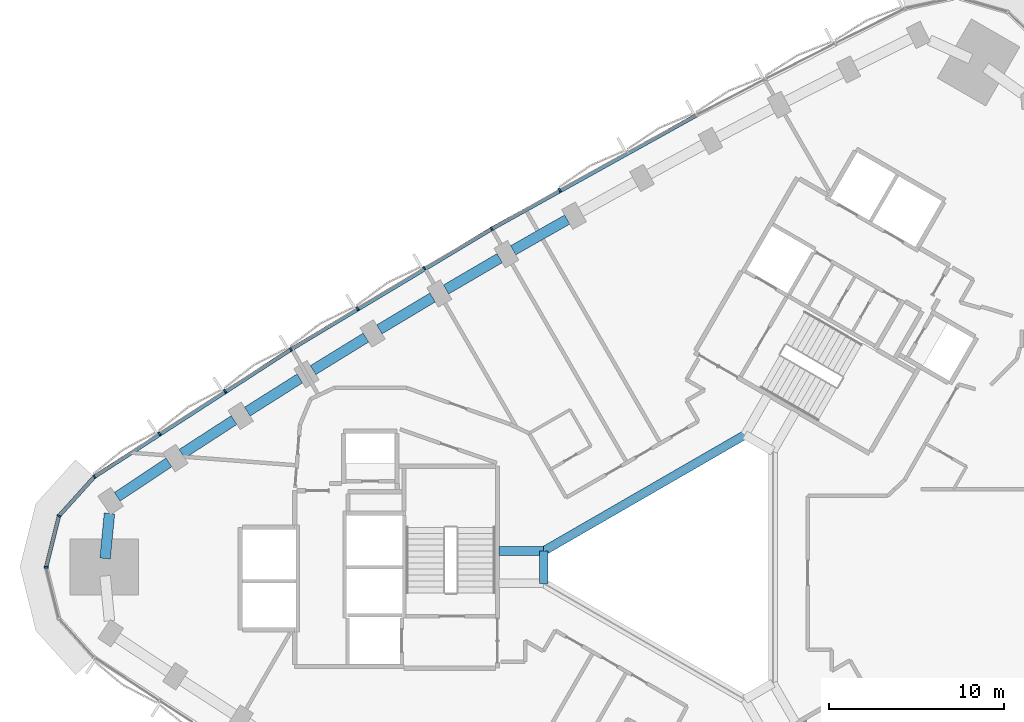
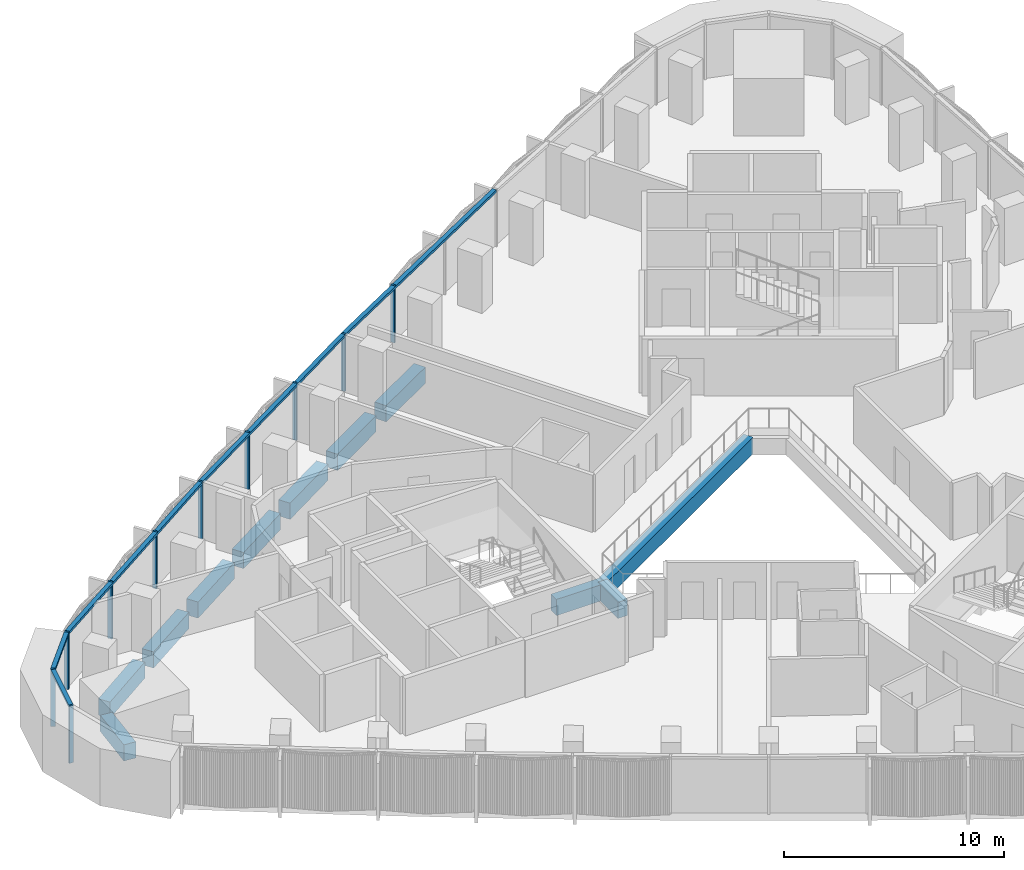
# One storey, part 4 of 15: 15 members, 11 beams, 1 element without a shape of its own.
"""IFC4 building model written with IfcOpenShell, lengths in metres."""

import ifcopenshell
import ifcopenshell.guid

model = None  # the IFC model being written
_history = None  # IfcOwnerHistory: only IFC2X3 demands one
_inside = {}  # id of a spatial element -> (the spatial element, [elements in it])
_under = {}  # id of a project, library or spatial element -> (it, [spatial elements below it])
_declared = {}  # id of a project -> (the project, [libraries it declares])
_typed = {}  # id of a type object -> (the type object, [elements of that type])
_made_of = {}  # id of a material, layer set ... -> (it, [elements and type objects made of it])


def new_model(schema):
    """Start an empty IFC model of exactly this schema.

    Asked for "IFC4X3", IfcOpenShell would pick the latest addendum, in which some entities
    have other attributes; the version numbers below select the first issue.
    IFC2X3 requires an IfcOwnerHistory on every rooted entity: one is made here for all.
    """
    global model, _history
    if schema == "IFC4X3":
        model = ifcopenshell.file(schema_version=(4, 3, 0, 0))
    else:
        model = ifcopenshell.file(schema=schema)
    _inside.clear()
    _under.clear()
    _declared.clear()
    _typed.clear()
    _made_of.clear()
    _history = None
    if model.schema == "IFC2X3":
        org = make("IfcOrganization", Name="unknown")
        user = make(
            "IfcPersonAndOrganization",
            ThePerson=make("IfcPerson", FamilyName="unknown"),
            TheOrganization=org,
        )
        app = make(
            "IfcApplication",
            ApplicationDeveloper=org,
            Version="unknown",
            ApplicationFullName="unknown",
            ApplicationIdentifier="unknown",
        )
        _history = make(
            "IfcOwnerHistory",
            OwningUser=user,
            OwningApplication=app,
            ChangeAction="ADDED",
            CreationDate=0,
        )
    return model


def make(cls, **values):
    """One entity of the class cls with the attributes given. An attribute that is None is left unset."""
    return model.create_entity(
        cls, **{name: value for name, value in values.items() if value is not None}
    )


def rooted(cls, **values):
    """An entity with a GlobalId (a new one), such as an element, a storey or a relation."""
    return make(cls, GlobalId=ifcopenshell.guid.new(), OwnerHistory=_history, **values)


def si_unit(unit_type, name, prefix=None):
    """IfcSIUnit, for example si_unit("LENGTHUNIT", "METRE", prefix="MILLI")."""
    return make("IfcSIUnit", UnitType=unit_type, Prefix=prefix, Name=name)


def assignment(units):
    """IfcUnitAssignment: the units of a project."""
    return None if units is None else make("IfcUnitAssignment", Units=units)


def point(xyz):
    """IfcCartesianPoint."""
    return None if xyz is None else make("IfcCartesianPoint", Coordinates=xyz)


def direction(xyz):
    """IfcDirection."""
    return None if xyz is None else make("IfcDirection", DirectionRatios=xyz)


def frame(location, z_axis=None, x_axis=None):
    """IfcAxis2Placement3D, a coordinate frame: its origin and axes. An axis left out is left unset."""
    return make(
        "IfcAxis2Placement3D",
        Location=point(location),
        Axis=direction(z_axis),
        RefDirection=direction(x_axis),
    )


def frame_2d(location, x_axis=None):
    """IfcAxis2Placement2D, a coordinate frame in the plane: its origin and x axis."""
    return make(
        "IfcAxis2Placement2D", Location=point(location), RefDirection=direction(x_axis)
    )


def origin():
    """The frame at (0, 0, 0) with its axes left unset."""
    return frame((0.0, 0.0, 0.0))


def origin_2d():
    """The frame at (0, 0) in the plane with its x axis left unset."""
    return frame_2d((0.0, 0.0))


def place(relative_to, where):
    """IfcLocalPlacement: puts the frame where relative to a parent placement (None: the world)."""
    return make(
        "IfcLocalPlacement", PlacementRelTo=relative_to, RelativePlacement=where
    )


def context(
    kind, dimensions, precision=None, world=None, true_north=None, identifier=None
):
    """IfcGeometricRepresentationContext, for example the 3D "Model" context."""
    return make(
        "IfcGeometricRepresentationContext",
        ContextIdentifier=identifier,
        ContextType=kind,
        CoordinateSpaceDimension=dimensions,
        Precision=precision,
        WorldCoordinateSystem=world,
        TrueNorth=true_north,
    )


def subcontext(parent, identifier, kind, view, scale=None):
    """IfcGeometricRepresentationSubContext, for example "Body" below "Model"."""
    return make(
        "IfcGeometricRepresentationSubContext",
        ContextIdentifier=identifier,
        ContextType=kind,
        ParentContext=parent,
        TargetScale=scale,
        TargetView=view,
    )


def project(units=None, contexts=None):
    """IfcProject with its units and contexts."""
    return rooted(
        "IfcProject",
        Name="project",
        RepresentationContexts=contexts,
        UnitsInContext=assignment(units),
    )


def spatial(cls, under=None, at=None, **own):
    """A site, building, storey or space (cls), placed at a placement, below another one or the project."""
    s = rooted(cls, ObjectPlacement=at, **own)
    if under is not None:
        _under.setdefault(under.id(), (under, []))[1].append(s)
    return s


def profile(cls, at=None, kind="AREA", **sizes):
    """A parametric profile (cls). Its sizes go by their IFC names, for example OverallWidth=200.0."""
    return make(cls, ProfileType=kind, Position=at, **sizes)


def rectangle(**sizes):
    """IfcRectangleProfileDef."""
    return profile("IfcRectangleProfileDef", **sizes)


def extrude(swept, where, along, depth):
    """IfcExtrudedAreaSolid: the profile swept, set in the frame where, extruded along a direction by depth."""
    return make(
        "IfcExtrudedAreaSolid",
        SweptArea=swept,
        Position=where,
        ExtrudedDirection=direction(along),
        Depth=depth,
    )


def shape(context_of_items, identifier, shape_type, items):
    """IfcShapeRepresentation: the items that make up one representation, for example the "Body"."""
    return make(
        "IfcShapeRepresentation",
        ContextOfItems=context_of_items,
        RepresentationIdentifier=identifier,
        RepresentationType=shape_type,
        Items=items,
    )


def material(Name=None, Category=None):
    """IfcMaterial."""
    return make("IfcMaterial", Name=Name, Category=Category)


def material_profile(
    of_material, cross_section, Name=None, Category=None, Priority=None
):
    """IfcMaterialProfile: a cross section and its material."""
    return make(
        "IfcMaterialProfile",
        Name=Name,
        Material=of_material,
        Profile=cross_section,
        Priority=Priority,
        Category=Category,
    )


def profile_set(profiles, Name=None, composite=None):
    """IfcMaterialProfileSet."""
    return make(
        "IfcMaterialProfileSet",
        Name=Name,
        MaterialProfiles=profiles,
        CompositeProfile=composite,
    )


def made_of(thing, what):
    """Note that an element or type object is made of a material, layer set ...; save() writes the relation."""
    if what is not None:
        _made_of.setdefault(what.id(), (what, []))[1].append(thing)
    return thing


def type_object(cls, material=None, **own):
    """A type object (cls), such as IfcWallType, which elements share."""
    return made_of(rooted(cls, **own), material)


def element(
    cls,
    number,
    at=None,
    inside=None,
    cuts=None,
    type_object=None,
    material=None,
    context=None,
    identifier="Body",
    shape_type=None,
    held_by="IfcProductDefinitionShape",
    body=None,
    shapes=None,
    **own,
):
    """One element of the class cls, such as IfcWall. Its Tag is "e" and its number.

    at: its placement. inside: the storey or other place that contains it. cuts: it is an
    opening in that element (IfcRelVoidsElement). A single representation is given by context,
    identifier, shape_type and body (its items); several are given by shapes. held_by: the class
    of the entity that holds the representations. save() writes the other relations.
    """
    e = rooted(cls, Tag="e%d" % number, ObjectPlacement=at, **own)
    if body is not None:
        shapes = [shape(context, identifier, shape_type, body)]
    if shapes is not None:
        e.Representation = make(held_by, Representations=shapes)
    if inside is not None:
        _inside.setdefault(inside.id(), (inside, []))[1].append(e)
    if cuts is not None:
        rooted(
            "IfcRelVoidsElement", RelatingBuildingElement=cuts, RelatedOpeningElement=e
        )
    if type_object is not None:
        _typed.setdefault(type_object.id(), (type_object, []))[1].append(e)
    return made_of(e, material)


def aggregate(whole, parts):
    """IfcRelAggregates: a whole, such as a stair, and the parts it consists of."""
    return rooted("IfcRelAggregates", RelatingObject=whole, RelatedObjects=parts)


def save(model, path):
    """Write the relations noted so far, then the file.

    IfcRelAggregates (storeys below a building ...), IfcRelContainedInSpatialStructure (elements
    in a storey), IfcRelDefinesByType, IfcRelAssociatesMaterial and IfcRelDeclares: one each for
    every whole, place, type object, material and project.
    """
    for whole, parts in _under.values():
        aggregate(whole, parts)
    for where, things in _inside.values():
        rooted(
            "IfcRelContainedInSpatialStructure",
            RelatedElements=things,
            RelatingStructure=where,
        )
    for kind, things in _typed.values():
        rooted("IfcRelDefinesByType", RelatedObjects=things, RelatingType=kind)
    for what, things in _made_of.values():
        rooted("IfcRelAssociatesMaterial", RelatedObjects=things, RelatingMaterial=what)
    for by, libraries in _declared.values():
        rooted("IfcRelDeclares", RelatingContext=by, RelatedDefinitions=libraries)
    model.write(path)


model = new_model("IFC4")

# Units and contexts
model_context = context("Model", 3, precision=1e-05, world=origin(), true_north=direction((0.0, 1.0)))
body_context = subcontext(model_context, "Body", "Model", "MODEL_VIEW")
ifc_project = project(units=[si_unit("LENGTHUNIT", "METRE"), si_unit("AREAUNIT", "SQUARE_METRE"), si_unit("VOLUMEUNIT", "CUBIC_METRE"), si_unit("PLANEANGLEUNIT", "RADIAN"), si_unit("MASSUNIT", "GRAM", prefix="KILO")], contexts=[model_context])

# Site, building, storey
site_placement = place(None, origin())
site = spatial("IfcSite", under=ifc_project, at=site_placement, CompositionType="ELEMENT")
building_placement = place(site_placement, origin())
building = spatial("IfcBuilding", under=site, at=building_placement, Name="Tamra Quay Hotel Tower", CompositionType="ELEMENT")
storey_placement = place(building_placement, frame((0.0, 0.0, 86.60009765625)))
storey = spatial("IfcBuildingStorey", under=building, at=storey_placement, Name="L20", CompositionType="ELEMENT", Elevation=86.60009765625)

# Beams
ifc_material_1 = material(Name="Concrete M60", Category="concrete")
ifc_material_profile_1 = material_profile(ifc_material_1, rectangle(XDim=0.5, YDim=0.89990234375, at=origin_2d()), Name="ATRIUM EDGE BEAM RC 500x900")
ifc_profile_set_1 = profile_set([ifc_material_profile_1], Name="Concrete M60")
beam_type_1 = type_object("IfcBeamType", Name="ATRIUM EDGE BEAM RC 500x900", PredefinedType="BEAM", material=ifc_profile_set_1)
beam_1_placement = place(storey_placement, frame((-8.199951171875, -0.923828125, -0.875), z_axis=(0.0, 1.0, 0.0), x_axis=(-1.0, 0.0, 0.0)))
element("IfcBeam", 1, at=beam_1_placement, inside=storey, type_object=beam_type_1, Name="BM-AB3-L20", PredefinedType="BEAM", context=body_context, shape_type="SweptSolid", body=[
    extrude(rectangle(XDim=0.5, YDim=0.89990234375, at=origin_2d()), origin(), (0.0, 0.0, 1.0), 1.84765625),
])
beam_2_placement = place(storey_placement, frame((-8.199951171875, 0.923828125, -0.875), z_axis=(0.866029440693, 0.499993007805, 0.0), x_axis=(-0.499993007805, 0.866029440693, 0.0)))
element("IfcBeam", 2, at=beam_2_placement, inside=storey, type_object=beam_type_1, Name="BM-AB4-L20", PredefinedType="BEAM", context=body_context, shape_type="SweptSolid", body=[
    extrude(rectangle(XDim=0.5, YDim=0.89990234375, at=origin_2d()), origin(), (0.0, 0.0, 1.0), 13.279052734375),
])
ifc_material_profile_2 = material_profile(ifc_material_1, rectangle(XDim=0.5, YDim=0.89990234375, at=origin_2d()), Name="ATRIUM TIE BEAM RC 500x900")
ifc_profile_set_2 = profile_set([ifc_material_profile_2], Name="Concrete M60")
beam_type_2 = type_object("IfcBeamType", Name="ATRIUM TIE BEAM RC 500x900", PredefinedType="BEAM", material=ifc_profile_set_2)
beam_3_placement = place(storey_placement, frame((-8.199951171875, 0.923828125, -0.875), z_axis=(-1.0, 0.0, 0.0), x_axis=(0.0, -1.0, 0.0)))
element("IfcBeam", 3, at=beam_3_placement, inside=storey, type_object=beam_type_2, Name="BM-TIE-4-L20", PredefinedType="BEAM", context=body_context, shape_type="SweptSolid", body=[
    extrude(rectangle(XDim=0.5, YDim=0.89990234375, at=origin_2d()), origin(), (0.0, 0.0, 1.0), 2.562255859375),
])

# Curtain wall, members
ifc_material_2 = material(Name="Aluminium 6063 anodised dark grey", Category="aluminium")
curtain_wall_type = type_object("IfcCurtainWallType", Name="CW2 CURTAIN WALL", PredefinedType="NOTDEFINED", material=ifc_material_2)
curtain_wall_placement = place(storey_placement, origin())
curtain_wall = element("IfcCurtainWall", 4, at=curtain_wall_placement, inside=storey, type_object=curtain_wall_type, Name="CW2 north-west face L20", PredefinedType="NOTDEFINED")
ifc_material_profile_3 = material_profile(ifc_material_2, rectangle(XDim=0.219970703125, YDim=0.10009765625, at=origin_2d()), Name="MULLION 100X220")
ifc_profile_set_3 = profile_set([ifc_material_profile_3], Name="Aluminium 6063 anodised dark grey")
member_type_1 = type_object("IfcMemberType", Name="MULLION CW2 Z2", PredefinedType="MULLION", material=ifc_profile_set_3)
member_1_placement = place(storey_placement, frame((-7.287841796875, 21.55078125, 0.0), z_axis=(0.0, 0.0, 1.0), x_axis=(-0.490074355228, 0.87168063323, 0.0)))
member_1 = element("IfcMember", 5, at=member_1_placement, type_object=member_type_1, Name="CW2 mullion L20.NW.6", PredefinedType="MULLION", context=body_context, shape_type="SweptSolid", body=[
    extrude(rectangle(XDim=0.219970703125, YDim=0.10009765625, at=origin_2d()), origin(), (0.0, 0.0, 1.0), 3.1748046875),
])
member_2_placement = place(storey_placement, frame((-11.16650390625, 19.3408203125, 0.0), z_axis=(0.0, 0.0, 1.0), x_axis=(-0.5, 0.866025403784, 0.0)))
member_2 = element("IfcMember", 6, at=member_2_placement, type_object=member_type_1, Name="CW2 mullion L20.NW.7", PredefinedType="MULLION", context=body_context, shape_type="SweptSolid", body=[
    extrude(rectangle(XDim=0.219970703125, YDim=0.10009765625, at=origin_2d()), origin(), (0.0, 0.0, 1.0), 3.1748046875),
])
member_3_placement = place(storey_placement, frame((-15.01953125, 17.0869140625, 0.0), z_axis=(0.0, 0.0, 1.0), x_axis=(-0.50986039475, 0.860257157985, 0.0)))
member_3 = element("IfcMember", 7, at=member_3_placement, type_object=member_type_1, Name="CW2 mullion L20.NW.8", PredefinedType="MULLION", context=body_context, shape_type="SweptSolid", body=[
    extrude(rectangle(XDim=0.219970703125, YDim=0.10009765625, at=origin_2d()), origin(), (0.0, 0.0, 1.0), 3.1748046875),
])
member_4_placement = place(storey_placement, frame((-18.8466796875, 14.7890625, 0.0), z_axis=(0.0, 0.0, 1.0), x_axis=(-0.519649964402, 0.854379256827, 0.0)))
member_4 = element("IfcMember", 8, at=member_4_placement, type_object=member_type_1, Name="CW2 mullion L20.NW.9", PredefinedType="MULLION", context=body_context, shape_type="SweptSolid", body=[
    extrude(rectangle(XDim=0.219970703125, YDim=0.10009765625, at=origin_2d()), origin(), (0.0, 0.0, 1.0), 3.1748046875),
])
member_5_placement = place(storey_placement, frame((-22.647216796875, 12.447509765625, 0.0), z_axis=(0.0, 0.0, 1.0), x_axis=(-0.529364244047, 0.848394658826, 0.0)))
member_5 = element("IfcMember", 9, at=member_5_placement, type_object=member_type_1, Name="CW2 mullion L20.NW.10", PredefinedType="MULLION", context=body_context, shape_type="SweptSolid", body=[
    extrude(rectangle(XDim=0.219970703125, YDim=0.10009765625, at=origin_2d()), origin(), (0.0, 0.0, 1.0), 3.1748046875),
])
member_6_placement = place(storey_placement, frame((-26.4208984375, 10.06298828125, 0.0), z_axis=(0.0, 0.0, 1.0), x_axis=(-0.538998382955, 0.842306798721, 0.0)))
member_6 = element("IfcMember", 10, at=member_6_placement, type_object=member_type_1, Name="CW2 mullion L20.NW.11", PredefinedType="MULLION", context=body_context, shape_type="SweptSolid", body=[
    extrude(rectangle(XDim=0.219970703125, YDim=0.10009765625, at=origin_2d()), origin(), (0.0, 0.0, 1.0), 3.1748046875),
])
member_7_placement = place(storey_placement, frame((-30.167236328125, 7.635498046875, 0.0), z_axis=(0.0, 0.0, 1.0), x_axis=(-0.548547395815, 0.836119461886, 0.0)))
member_7 = element("IfcMember", 11, at=member_7_placement, type_object=member_type_1, Name="CW2 mullion L20.NW.12", PredefinedType="MULLION", context=body_context, shape_type="SweptSolid", body=[
    extrude(rectangle(XDim=0.219970703125, YDim=0.10009765625, at=origin_2d()), origin(), (0.0, 0.0, 1.0), 3.1748046875),
])
member_8_placement = place(storey_placement, frame((-33.88525390625, 5.166015625, 0.0), z_axis=(0.0, 0.0, 1.0), x_axis=(-0.652886907072, 0.757455402366, 0.0)))
member_8 = element("IfcMember", 12, at=member_8_placement, type_object=member_type_1, Name="CW2 mullion L20.NW.13", PredefinedType="MULLION", context=body_context, shape_type="SweptSolid", body=[
    extrude(rectangle(XDim=0.219970703125, YDim=0.10009765625, at=origin_2d()), origin(), (0.0, 0.0, 1.0), 3.1748046875),
])
member_9_placement = place(storey_placement, frame((-35.90673828125, 2.9267578125, 0.0), z_axis=(0.0, 0.0, 1.0), x_axis=(-0.882543846683, 0.47023011248, 0.0)))
member_9 = element("IfcMember", 13, at=member_9_placement, type_object=member_type_1, Name="CW2 mullion L20.NW.14", PredefinedType="MULLION", context=body_context, shape_type="SweptSolid", body=[
    extrude(rectangle(XDim=0.219970703125, YDim=0.10009765625, at=origin_2d()), origin(), (0.0, 0.0, 1.0), 3.1748046875),
])
member_10_placement = place(storey_placement, frame((-36.6376953125, 0.0, 0.0), z_axis=(0.0, 0.0, 1.0), x_axis=(-1.0, 0.0, 0.0)))
member_10 = element("IfcMember", 14, at=member_10_placement, type_object=member_type_1, Name="CW2 mullion L20.NW.15", PredefinedType="MULLION", context=body_context, shape_type="SweptSolid", body=[
    extrude(rectangle(XDim=0.219970703125, YDim=0.10009765625, at=origin_2d()), origin(), (0.0, 0.0, 1.0), 3.1748046875),
])

# Beams
ifc_material_profile_4 = material_profile(ifc_material_1, rectangle(XDim=0.60009765625, YDim=0.89990234375, at=origin_2d()), Name="SPANDREL BEAM RC 600x900")
ifc_profile_set_4 = profile_set([ifc_material_profile_4], Name="Concrete M60")
beam_type_3 = type_object("IfcBeamType", Name="SPANDREL BEAM RC 600x900", PredefinedType="SPANDREL", material=ifc_profile_set_4)
beam_4_placement = place(storey_placement, frame((-6.8583984375, 19.868896484375, -0.875), z_axis=(-0.868869699181, -0.495040852704, 0.0), x_axis=(0.495040852704, -0.868869699181, 0.0)))
element("IfcBeam", 15, at=beam_4_placement, inside=storey, type_object=beam_type_3, Name="BM-SP2-019-L20", PredefinedType="SPANDREL", context=body_context, shape_type="SweptSolid", body=[
    extrude(rectangle(XDim=0.60009765625, YDim=0.89990234375, at=origin_2d()), origin(), (0.0, 0.0, 1.0), 3.544921875),
])
for number, where, z_axis, x_axis, name in (
    (16, (-10.718017578125, 17.6640625, -0.875), (-0.863128698129, -0.504984010109, 0.0), (0.504984010109, -0.863128698129, 0.0), "BM-SP2-020-L20"),
    (17, (-14.552001953125, 15.415283203125, -0.875), (-0.857286231776, -0.514840088578, 0.0), (0.514840088578, -0.857286231776, 0.0), "BM-SP2-021-L20"),
):
    element("IfcBeam", number, at=place(storey_placement, frame(where, z_axis=z_axis, x_axis=x_axis)), inside=storey, type_object=beam_type_3, Name=name, PredefinedType="SPANDREL", context=body_context, shape_type="SweptSolid", body=[
        extrude(rectangle(XDim=0.60009765625, YDim=0.89990234375, at=origin_2d()), origin(), (0.0, 0.0, 1.0), 3.544677734375),
    ])
for number, where, z_axis, x_axis, name in (
    (18, (-18.35986328125, 13.122802734375, -0.875), (-0.851393361846, -0.524527733685, 0.0), (0.524527733685, -0.851393361846, 0.0), "BM-SP2-022-L20"),
    (19, (-22.1416015625, 10.787109375, -0.875), (-0.845333394052, -0.534239134566, 0.0), (0.534239134566, -0.845333394052, 0.0), "BM-SP2-023-L20"),
):
    element("IfcBeam", number, at=place(storey_placement, frame(where, z_axis=z_axis, x_axis=x_axis)), inside=storey, type_object=beam_type_3, Name=name, PredefinedType="SPANDREL", context=body_context, shape_type="SweptSolid", body=[
        extrude(rectangle(XDim=0.60009765625, YDim=0.89990234375, at=origin_2d()), origin(), (0.0, 0.0, 1.0), 3.544921875),
    ])
beam_5_placement = place(storey_placement, frame((-25.896240234375, 8.408203125, -0.875), z_axis=(-0.839237385713, -0.543765216266, 0.0), x_axis=(0.543765216266, -0.839237385713, 0.0)))
element("IfcBeam", 20, at=beam_5_placement, inside=storey, type_object=beam_type_3, Name="BM-SP2-024-L20", PredefinedType="SPANDREL", context=body_context, shape_type="SweptSolid", body=[
    extrude(rectangle(XDim=0.60009765625, YDim=0.89990234375, at=origin_2d()), origin(), (0.0, 0.0, 1.0), 3.544677734375),
])
beam_6_placement = place(storey_placement, frame((-29.623779296875, 5.98681640625, -0.875), z_axis=(-0.832981511469, -0.55330082374, 0.0), x_axis=(0.55330082374, -0.832981511469, 0.0)))
element("IfcBeam", 21, at=beam_6_placement, inside=storey, type_object=beam_type_3, Name="BM-SP2-025-L20", PredefinedType="SPANDREL", context=body_context, shape_type="SweptSolid", body=[
    extrude(rectangle(XDim=0.60009765625, YDim=0.89990234375, at=origin_2d()), origin(), (0.0, 0.0, 1.0), 3.544921875),
])
beam_7_placement = place(storey_placement, frame((-33.019287109375, 3.070556640625, -0.875), z_axis=(-0.09550001445, -0.995429428558, 0.0), x_axis=(0.995429428558, -0.09550001445, 0.0)))
element("IfcBeam", 22, at=beam_7_placement, inside=storey, type_object=beam_type_3, Name="BM-SP2-026-L20", PredefinedType="SPANDREL", context=body_context, shape_type="SweptSolid", body=[
    extrude(rectangle(XDim=0.60009765625, YDim=0.89990234375, at=origin_2d()), origin(), (0.0, 0.0, 1.0), 2.58447265625),
])

# Member
ifc_material_profile_5 = material_profile(ifc_material_2, rectangle(XDim=0.219970703125, YDim=0.139892578125, at=origin_2d()), Name="TRANSOM 220X140")
ifc_profile_set_5 = profile_set([ifc_material_profile_5], Name="Aluminium 6063 anodised dark grey")
member_type_2 = type_object("IfcMemberType", Name="TRANSOM CW2 Z2", PredefinedType="USERDEFINED", material=ifc_profile_set_5)
member_11_placement = place(storey_placement, frame((0.499755859375, 25.813232421875, 3.10498046875), z_axis=(-0.874463819192, -0.48509074298, 0.0), x_axis=(0.48509074298, -0.874463819192, 0.0)))
member_11 = element("IfcMember", 23, at=member_11_placement, type_object=member_type_2, Name="CW2 transom L20.NW.4", ObjectType="TRANSOM", PredefinedType="USERDEFINED", context=body_context, shape_type="SweptSolid", body=[
    extrude(rectangle(XDim=0.219970703125, YDim=0.139892578125, at=origin_2d()), origin(), (0.0, 0.0, 1.0), 13.291259765625),
])

member_12_placement = place(storey_placement, frame((-11.209716796875, 19.315673828125, 3.10498046875), z_axis=(-0.857334050853, -0.514760454238, 0.0), x_axis=(0.514760454238, -0.857334050853, 0.0)))
member_12 = element("IfcMember", 24, at=member_12_placement, type_object=member_type_2, Name="CW2 transom L20.NW.7", ObjectType="TRANSOM", PredefinedType="USERDEFINED", context=body_context, shape_type="SweptSolid", body=[
    extrude(rectangle(XDim=0.219970703125, YDim=0.139892578125, at=origin_2d()), origin(), (0.0, 0.0, 1.0), 13.291259765625),
])

member_13_placement = place(storey_placement, frame((-22.689453125, 12.4208984375, 3.10498046875), z_axis=(-0.839227967527, -0.543779751849, 0.0), x_axis=(0.543779751849, -0.839227967527, 0.0)))
member_13 = element("IfcMember", 25, at=member_13_placement, type_object=member_type_2, Name="CW2 transom L20.NW.10", ObjectType="TRANSOM", PredefinedType="USERDEFINED", context=body_context, shape_type="SweptSolid", body=[
    extrude(rectangle(XDim=0.219970703125, YDim=0.139892578125, at=origin_2d()), origin(), (0.0, 0.0, 1.0), 13.290771484375),
])

member_14_placement = place(storey_placement, frame((-33.918701171875, 5.12890625, 3.10498046875), z_axis=(-0.670064659649, -0.742302736011, 0.0), x_axis=(0.742302736011, -0.670064659649, 0.0)))
member_14 = element("IfcMember", 26, at=member_14_placement, type_object=member_type_2, Name="CW2 transom L20.NW.13", ObjectType="TRANSOM", PredefinedType="USERDEFINED", context=body_context, shape_type="SweptSolid", body=[
    extrude(rectangle(XDim=0.219970703125, YDim=0.139892578125, at=origin_2d()), origin(), (0.0, 0.0, 1.0), 2.916748046875),
])

member_15_placement = place(storey_placement, frame((-35.918701171875, 2.878173828125, 3.10498046875), z_axis=(-0.242338656789, -0.970191720963, 0.0), x_axis=(0.970191720963, -0.242338656789, 0.0)))
member_15 = element("IfcMember", 27, at=member_15_placement, type_object=member_type_2, Name="CW2 transom L20.NW.14", ObjectType="TRANSOM", PredefinedType="USERDEFINED", context=body_context, shape_type="SweptSolid", body=[
    extrude(rectangle(XDim=0.219970703125, YDim=0.139892578125, at=origin_2d()), origin(), (0.0, 0.0, 1.0), 2.91650390625),
])

aggregate(curtain_wall, [member_11, member_1, member_2, member_12, member_3, member_4, member_5, member_13, member_6, member_7, member_8, member_14, member_9, member_15, member_10])

save(model, "model.ifc")
